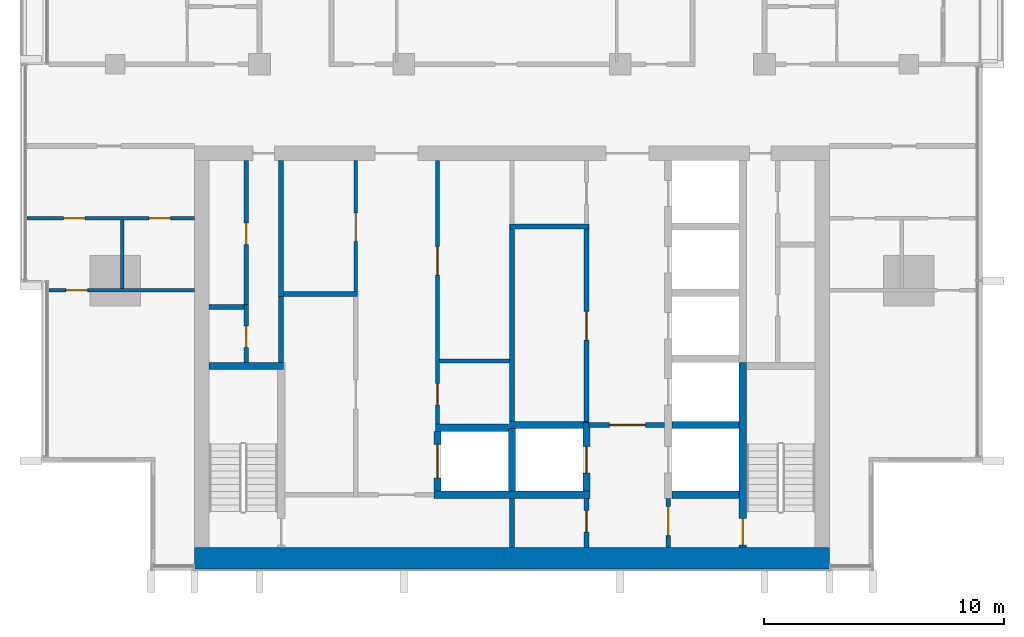
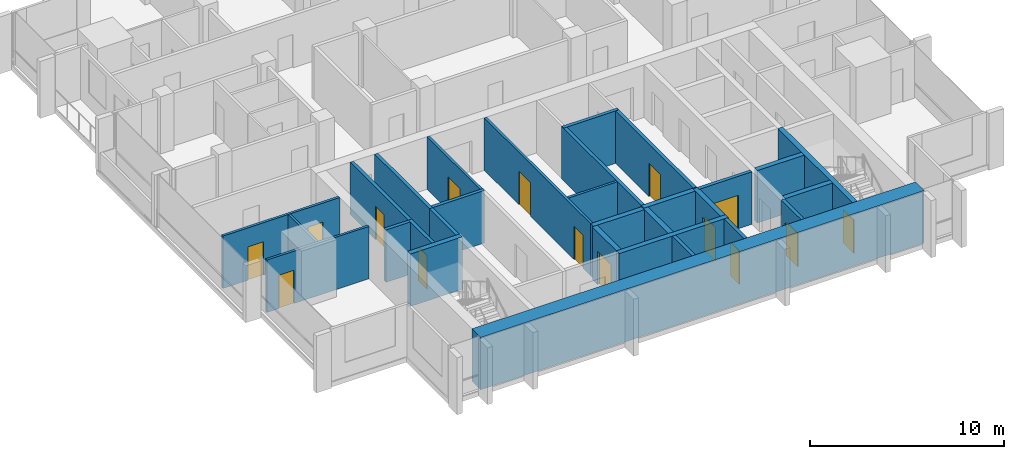
# One storey, part 7 of 16: 30 walls, 15 doors, 15 openings.
"""IFC4 building model written with IfcOpenShell, lengths in metres."""

from ifc_helpers import new_model, si_unit, direction, frame, frame_2d, origin, place, context, subcontext, project, spatial, rectangle, extrude, material, layer, layer_set, type_object, element, fill, save


model = new_model("IFC4")

# Units and contexts
model_context = context("Model", 3, precision=1e-05, world=origin(), true_north=direction((0.0, 1.0)))
body_context = subcontext(model_context, "Body", "Model", "MODEL_VIEW")
ifc_project = project(units=[si_unit("LENGTHUNIT", "METRE"), si_unit("AREAUNIT", "SQUARE_METRE"), si_unit("VOLUMEUNIT", "CUBIC_METRE"), si_unit("PLANEANGLEUNIT", "RADIAN"), si_unit("MASSUNIT", "GRAM", prefix="KILO")], contexts=[model_context])

# Site, building, storey
site_placement = place(None, origin())
site = spatial("IfcSite", under=ifc_project, at=site_placement, CompositionType="ELEMENT")
building_placement = place(site_placement, origin())
building = spatial("IfcBuilding", under=site, at=building_placement, Name="Finial Court Residences", CompositionType="ELEMENT")
storey_placement = place(building_placement, frame((0.0, 0.0, 208.699951171875)))
storey = spatial("IfcBuildingStorey", under=building, at=storey_placement, Name="L52", CompositionType="ELEMENT", Elevation=208.699951171875)

# Wall
ifc_material_1 = material(Name="Fire-rated gypsum board partition")
ifc_layer_1 = layer(ifc_material_1, 0.14990234375)
ifc_layer_set_1 = layer_set([ifc_layer_1], Name="Core room partition 150 EI 60")
wall_type_1 = type_object("IfcWallType", Name="Core room partition 150 EI 60", PredefinedType="PARTITIONING", material=ifc_layer_set_1)
wall_1_placement = place(storey_placement, frame((-3.02490234375, -16.840087890625, 0.0), z_axis=(0.0, 0.0, 1.0), x_axis=(1.0, 0.0, 0.0)))
element("IfcWall", 1, at=wall_1_placement, inside=storey, type_object=wall_type_1, Name="Core partition L52-11", PredefinedType="PARTITIONING", context=body_context, shape_type="SweptSolid", body=[
    extrude(rectangle(XDim=2.9248046875, YDim=0.14990234375, at=frame_2d((1.46240234375, 0.0))), origin(), (0.0, 0.0, 1.0), 3.300048828125),
])

# Wall, opening, door
wall_2_placement = place(storey_placement, frame((-6.5, -13.9599609375, 0.0), z_axis=(0.0, 0.0, 1.0), x_axis=(0.0, 1.0, 0.0)))
wall_2 = element("IfcWall", 2, at=wall_2_placement, inside=storey, type_object=wall_type_1, Name="Core partition L52-25", PredefinedType="PARTITIONING", context=body_context, shape_type="SweptSolid", body=[
    extrude(rectangle(XDim=5.4599609375, YDim=0.14990234375, at=frame_2d((2.72998046875, 0.0))), origin(), (0.0, 0.0, 1.0), 3.300048828125),
])
opening_1_placement = place(wall_2_placement, frame((2.080078125, 0.0, 0.0)))
opening_1 = element("IfcOpeningElement", 3, at=opening_1_placement, cuts=wall_2, Name="Opening L52-C15", PredefinedType="OPENING", context=body_context, shape_type="SweptSolid", body=[
    extrude(rectangle(XDim=1.199951171875, YDim=2.10009765625, at=frame_2d((0.60009765625, 1.050048828125))), frame((0.0, 0.0849609375, 0.0), z_axis=(0.0, -1.0, 0.0), x_axis=(1.0, 0.0, 0.0)), (0.0, 0.0, 1.0), 0.169921875),
])
ifc_material_2 = material(Name="Steel fire door", Category="steel")
door_type_1 = type_object("IfcDoorType", Name="Core room door 1200 x 2100 EI 60", OperationType="NOTDEFINED", PredefinedType="DOOR", material=ifc_material_2)
door_1_placement = place(opening_1_placement, origin())
door_1 = element("IfcDoor", 4, at=door_1_placement, inside=storey, type_object=door_type_1, Name="Core room door L52-C15", OperationType="SINGLE_SWING_RIGHT", OverallHeight=2.10009765625, OverallWidth=1.199951171875, PredefinedType="DOOR", context=body_context, shape_type="SweptSolid", body=[
    extrude(rectangle(XDim=1.199951171875, YDim=2.10009765625, at=frame_2d((0.60009765625, 1.050048828125))), frame((0.0, 0.02490234375, 0.0), z_axis=(0.0, -1.0, 0.0), x_axis=(1.0, 0.0, 0.0)), (0.0, 0.0, 1.0), 0.050048828125),
])
fill(opening_1, door_1)

# Wall, openings, doors
wall_3_placement = place(storey_placement, frame((-3.10009765625, -8.5, 0.0), z_axis=(0.0, 0.0, 1.0), x_axis=(0.0, -1.0, 0.0)))
wall_3 = element("IfcWall", 5, at=wall_3_placement, inside=storey, type_object=wall_type_1, Name="Core partition L52-27", PredefinedType="PARTITIONING", context=body_context, shape_type="SweptSolid", body=[
    extrude(rectangle(XDim=10.969970703125, YDim=0.14990234375, at=frame_2d((5.48486328125, 0.0))), origin(), (0.0, 0.0, 1.0), 3.300048828125),
])
opening_2_placement = place(wall_3_placement, frame((9.280029296875, 0.0, 0.0)))
opening_2 = element("IfcOpeningElement", 6, at=opening_2_placement, cuts=wall_3, Name="Opening L52-C16", PredefinedType="OPENING", context=body_context, shape_type="SweptSolid", body=[
    extrude(rectangle(XDim=0.89990234375, YDim=2.10009765625, at=frame_2d((0.449951171875, 1.050048828125))), frame((0.0, 0.0849609375, 0.0), z_axis=(0.0, -1.0, 0.0), x_axis=(1.0, 0.0, 0.0)), (0.0, 0.0, 1.0), 0.169921875),
])
opening_3_placement = place(wall_3_placement, frame((3.570068359375, 0.0, 0.0)))
opening_3 = element("IfcOpeningElement", 7, at=opening_3_placement, cuts=wall_3, Name="Opening L52-C17", PredefinedType="OPENING", context=body_context, shape_type="SweptSolid", body=[
    extrude(rectangle(XDim=1.199951171875, YDim=2.10009765625, at=frame_2d((0.60009765625, 1.050048828125))), frame((0.0, 0.0849609375, 0.0), z_axis=(0.0, -1.0, 0.0), x_axis=(1.0, 0.0, 0.0)), (0.0, 0.0, 1.0), 0.169921875),
])
door_2_placement = place(opening_3_placement, origin())
door_2 = element("IfcDoor", 8, at=door_2_placement, inside=storey, type_object=door_type_1, Name="Core room door L52-C17", OperationType="SINGLE_SWING_RIGHT", OverallHeight=2.10009765625, OverallWidth=1.199951171875, PredefinedType="DOOR", context=body_context, shape_type="SweptSolid", body=[
    extrude(rectangle(XDim=1.199951171875, YDim=2.10009765625, at=frame_2d((0.60009765625, 1.050048828125))), frame((0.0, 0.02490234375, 0.0), z_axis=(0.0, -1.0, 0.0), x_axis=(1.0, 0.0, 0.0)), (0.0, 0.0, 1.0), 0.050048828125),
])
fill(opening_3, door_2)
door_type_2 = type_object("IfcDoorType", Name="Core room door 900 x 2100 EI 60", OperationType="NOTDEFINED", PredefinedType="DOOR", material=ifc_material_2)
door_3_placement = place(opening_2_placement, origin())
door_3 = element("IfcDoor", 9, at=door_3_placement, inside=storey, type_object=door_type_2, Name="Core room door L52-C16", OperationType="SINGLE_SWING_RIGHT", OverallHeight=2.10009765625, OverallWidth=0.89990234375, PredefinedType="DOOR", context=body_context, shape_type="SweptSolid", body=[
    extrude(rectangle(XDim=0.89990234375, YDim=2.10009765625, at=frame_2d((0.449951171875, 1.050048828125))), frame((0.0, 0.02490234375, 0.0), z_axis=(0.0, -1.0, 0.0), x_axis=(1.0, 0.0, 0.0)), (0.0, 0.0, 1.0), 0.050048828125),
])
fill(opening_2, door_3)

# Wall
ifc_material_3 = material(Name="Concrete C60/75", Category="concrete")
ifc_layer_2 = layer(ifc_material_3, 0.89990234375)
ifc_layer_set_2 = layer_set([ifc_layer_2], Name="Core south facade wall 900 Concrete C60/75")
wall_type_2 = type_object("IfcWallType", Name="Core south facade wall 900 Concrete C60/75", PredefinedType="SHEAR", material=ifc_layer_set_2)
wall_4_placement = place(storey_placement, frame((-13.199951171875, -25.050048828125, 0.0), z_axis=(0.0, 0.0, 1.0), x_axis=(1.0, 0.0, 0.0)))
element("IfcWall", 10, at=wall_4_placement, inside=storey, type_object=wall_type_2, Name="Core outer wall L52-01", PredefinedType="SHEAR", context=body_context, shape_type="SweptSolid", body=[
    extrude(rectangle(XDim=26.39990234375, YDim=0.89990234375, at=frame_2d((13.199951171875, 0.0))), origin(), (0.0, 0.0, 1.0), 3.300048828125),
])

# Wall, opening, door
ifc_layer_3 = layer(ifc_material_1, 0.199951171875)
ifc_layer_set_3 = layer_set([ifc_layer_3], Name="Firefighting lobby wall 200 EI 120")
wall_type_3 = type_object("IfcWallType", Name="Firefighting lobby wall 200 EI 120", PredefinedType="PARTITIONING", material=ifc_layer_set_3)
wall_5_placement = place(storey_placement, frame((6.35009765625, -19.5, 0.0), z_axis=(0.0, 0.0, 1.0), x_axis=(-1.0, 0.0, 0.0)))
wall_5 = element("IfcWall", 11, at=wall_5_placement, inside=storey, type_object=wall_type_3, Name="Core partition L52-07", PredefinedType="PARTITIONING", context=body_context, shape_type="SweptSolid", body=[
    extrude(rectangle(XDim=3.150146484375, YDim=0.199951171875, at=frame_2d((1.5751953125, 0.0))), origin(), (0.0, 0.0, 1.0), 3.300048828125),
])
opening_4_placement = place(wall_5_placement, frame((0.800048828125, 0.0, 0.0)))
opening_4 = element("IfcOpeningElement", 12, at=opening_4_placement, cuts=wall_5, Name="Opening L52-C02", PredefinedType="OPENING", context=body_context, shape_type="SweptSolid", body=[
    extrude(rectangle(XDim=1.5, YDim=2.10009765625, at=frame_2d((0.75, 1.050048828125))), frame((0.0, 0.10986328125, 0.0), z_axis=(0.0, -1.0, 0.0), x_axis=(1.0, 0.0, 0.0)), (0.0, 0.0, 1.0), 0.219970703125),
])
door_type_3 = type_object("IfcDoorType", Name="Firefighting lobby door 1500 x 2100 EI 90", OperationType="DOUBLE_DOOR_SINGLE_SWING", PredefinedType="DOOR", material=ifc_material_2)
door_4_placement = place(opening_4_placement, origin())
door_4 = element("IfcDoor", 13, at=door_4_placement, inside=storey, type_object=door_type_3, Name="Firefighting lobby door L52-C02", OperationType="DOUBLE_DOOR_SINGLE_SWING", OverallHeight=2.10009765625, OverallWidth=1.5, PredefinedType="DOOR", context=body_context, shape_type="SweptSolid", body=[
    extrude(rectangle(XDim=1.5, YDim=2.10009765625, at=frame_2d((0.75, 1.050048828125))), frame((0.0, 0.02490234375, 0.0), z_axis=(0.0, -1.0, 0.0), x_axis=(1.0, 0.0, 0.0)), (0.0, 0.0, 1.0), 0.050048828125),
])
fill(opening_4, door_4)

wall_6_placement = place(storey_placement, frame((3.10009765625, -24.60009765625, 0.0), z_axis=(0.0, 0.0, 1.0), x_axis=(0.0, 1.0, 0.0)))
wall_6 = element("IfcWall", 14, at=wall_6_placement, inside=storey, type_object=wall_type_3, Name="Core partition L52-32", PredefinedType="PARTITIONING", context=body_context, shape_type="SweptSolid", body=[
    extrude(rectangle(XDim=2.050048828125, YDim=0.199951171875, at=frame_2d((1.02490234375, 0.0))), origin(), (0.0, 0.0, 1.0), 3.300048828125),
])
opening_5_placement = place(wall_6_placement, frame((0.64990234375, 0.0, 0.0)))
opening_5 = element("IfcOpeningElement", 15, at=opening_5_placement, cuts=wall_6, Name="Opening L52-C06", PredefinedType="OPENING", context=body_context, shape_type="SweptSolid", body=[
    extrude(rectangle(XDim=0.89990234375, YDim=2.10009765625, at=frame_2d((0.449951171875, 1.050048828125))), frame((0.0, 0.10986328125, 0.0), z_axis=(0.0, -1.0, 0.0), x_axis=(1.0, 0.0, 0.0)), (0.0, 0.0, 1.0), 0.219970703125),
])
door_type_4 = type_object("IfcDoorType", Name="Riser room door 900 x 2100 EI 90", OperationType="NOTDEFINED", PredefinedType="DOOR", material=ifc_material_2)
door_5_placement = place(opening_5_placement, origin())
door_5 = element("IfcDoor", 16, at=door_5_placement, inside=storey, type_object=door_type_4, Name="Riser room door L52-C06", OperationType="SINGLE_SWING_LEFT", OverallHeight=2.10009765625, OverallWidth=0.89990234375, PredefinedType="DOOR", context=body_context, shape_type="SweptSolid", body=[
    extrude(rectangle(XDim=0.89990234375, YDim=2.10009765625, at=frame_2d((0.449951171875, 1.050048828125))), frame((0.0, 0.02490234375, 0.0), z_axis=(0.0, -1.0, 0.0), x_axis=(1.0, 0.0, 0.0)), (0.0, 0.0, 1.0), 0.050048828125),
])
fill(opening_5, door_5)

wall_7_placement = place(storey_placement, frame((6.5, -22.550048828125, 0.0), z_axis=(0.0, 0.0, 1.0), x_axis=(0.0, -1.0, 0.0)))
wall_7 = element("IfcWall", 17, at=wall_7_placement, inside=storey, type_object=wall_type_3, Name="Core partition L52-36", PredefinedType="PARTITIONING", context=body_context, shape_type="SweptSolid", body=[
    extrude(rectangle(XDim=2.050048828125, YDim=0.199951171875, at=frame_2d((1.02490234375, 0.0))), origin(), (0.0, 0.0, 1.0), 3.300048828125),
])
opening_6_placement = place(wall_7_placement, frame((0.35009765625, 0.0, 0.0)))
opening_6 = element("IfcOpeningElement", 18, at=opening_6_placement, cuts=wall_7, Name="Opening L52-C01", PredefinedType="OPENING", context=body_context, shape_type="SweptSolid", body=[
    extrude(rectangle(XDim=1.199951171875, YDim=2.10009765625, at=frame_2d((0.60009765625, 1.050048828125))), frame((0.0, 0.10986328125, 0.0), z_axis=(0.0, -1.0, 0.0), x_axis=(1.0, 0.0, 0.0)), (0.0, 0.0, 1.0), 0.219970703125),
])
door_type_5 = type_object("IfcDoorType", Name="Firefighting lobby door 1200 x 2100 EI 90", OperationType="NOTDEFINED", PredefinedType="DOOR", material=ifc_material_2)
door_6_placement = place(opening_6_placement, origin())
door_6 = element("IfcDoor", 19, at=door_6_placement, inside=storey, type_object=door_type_5, Name="Firefighting lobby door L52-C01", OperationType="SINGLE_SWING_RIGHT", OverallHeight=2.10009765625, OverallWidth=1.199951171875, PredefinedType="DOOR", context=body_context, shape_type="SweptSolid", body=[
    extrude(rectangle(XDim=1.199951171875, YDim=2.10009765625, at=frame_2d((0.60009765625, 1.050048828125))), frame((0.0, 0.02490234375, 0.0), z_axis=(0.0, -1.0, 0.0), x_axis=(1.0, 0.0, 0.0)), (0.0, 0.0, 1.0), 0.050048828125),
])
fill(opening_6, door_6)

ifc_material_4 = material(Name="Moisture-resistant gypsum board")
ifc_layer_4 = layer(ifc_material_4, 0.012451171875)
ifc_material_5 = material(Name="Mineral wool in light-gauge frame")
ifc_layer_5 = layer(ifc_material_5, 0.125)
ifc_layer_6 = layer(ifc_material_4, 0.012451171875)
ifc_layer_set_4 = layer_set([ifc_layer_4, ifc_layer_5, ifc_layer_6], Name="Gypsum board wet-area partition 150")
wall_type_4 = type_object("IfcWallType", Name="Gypsum board wet-area partition 150", PredefinedType="PARTITIONING", material=ifc_layer_set_4)
wall_8_placement = place(storey_placement, frame((-19.262451171875, -13.89990234375, 0.0), z_axis=(0.0, 0.0, 1.0), x_axis=(1.0, 0.0, 0.0)))
wall_8 = element("IfcWall", 20, at=wall_8_placement, inside=storey, type_object=wall_type_4, Name="Partition L52-000", PredefinedType="PARTITIONING", context=body_context, shape_type="SweptSolid", body=[
    extrude(rectangle(XDim=6.0625, YDim=0.14990234375, at=frame_2d((3.03125, 0.0))), origin(), (0.0, 0.0, 1.0), 3.300048828125),
])
opening_7_placement = place(wall_8_placement, frame((0.7119140625, 0.0, 0.0)))
opening_7 = element("IfcOpeningElement", 21, at=opening_7_placement, cuts=wall_8, Name="Opening L52-D001", PredefinedType="OPENING", context=body_context, shape_type="SweptSolid", body=[
    extrude(rectangle(XDim=0.89990234375, YDim=2.10009765625, at=frame_2d((0.449951171875, 1.050048828125))), frame((0.0, 0.0849609375, 0.0), z_axis=(0.0, -1.0, 0.0), x_axis=(1.0, 0.0, 0.0)), (0.0, 0.0, 1.0), 0.169921875),
])
ifc_material_6 = material(Name="Timber door leaf in timber frame", Category="wood")
door_type_6 = type_object("IfcDoorType", Name="Door set 900 x 2100", OperationType="SINGLE_SWING_LEFT", PredefinedType="DOOR", material=ifc_material_6)
door_7_placement = place(opening_7_placement, origin())
door_7 = element("IfcDoor", 22, at=door_7_placement, inside=storey, type_object=door_type_6, Name="Door L52-D001", OperationType="SINGLE_SWING_LEFT", OverallHeight=2.10009765625, OverallWidth=0.89990234375, PredefinedType="DOOR", context=body_context, shape_type="SweptSolid", body=[
    extrude(rectangle(XDim=0.89990234375, YDim=2.10009765625, at=frame_2d((0.449951171875, 1.050048828125))), frame((0.0, 0.02490234375, 0.0), z_axis=(0.0, -1.0, 0.0), x_axis=(1.0, 0.0, 0.0)), (0.0, 0.0, 1.0), 0.050048828125),
])
fill(opening_7, door_7)

# Wall, openings, doors
wall_9_placement = place(storey_placement, frame((-20.16259765625, -10.89990234375, 0.0), z_axis=(0.0, 0.0, 1.0), x_axis=(1.0, 0.0, 0.0)))
wall_9 = element("IfcWall", 23, at=wall_9_placement, inside=storey, type_object=wall_type_4, Name="Partition L52-002", PredefinedType="PARTITIONING", context=body_context, shape_type="SweptSolid", body=[
    extrude(rectangle(XDim=6.962646484375, YDim=0.14990234375, at=frame_2d((3.4814453125, 0.0))), origin(), (0.0, 0.0, 1.0), 3.300048828125),
])
opening_8_placement = place(wall_9_placement, frame((1.512939453125, 0.0, 0.0)))
opening_8 = element("IfcOpeningElement", 24, at=opening_8_placement, cuts=wall_9, Name="Opening L52-D003", PredefinedType="OPENING", context=body_context, shape_type="SweptSolid", body=[
    extrude(rectangle(XDim=0.89990234375, YDim=2.10009765625, at=frame_2d((0.449951171875, 1.050048828125))), frame((0.0, 0.0849609375, 0.0), z_axis=(0.0, -1.0, 0.0), x_axis=(1.0, 0.0, 0.0)), (0.0, 0.0, 1.0), 0.169921875),
])
opening_9_placement = place(wall_9_placement, frame((5.06298828125, 0.0, 0.0)))
opening_9 = element("IfcOpeningElement", 25, at=opening_9_placement, cuts=wall_9, Name="Opening L52-D004", PredefinedType="OPENING", context=body_context, shape_type="SweptSolid", body=[
    extrude(rectangle(XDim=0.89990234375, YDim=2.10009765625, at=frame_2d((0.449951171875, 1.050048828125))), frame((0.0, 0.0849609375, 0.0), z_axis=(0.0, -1.0, 0.0), x_axis=(1.0, 0.0, 0.0)), (0.0, 0.0, 1.0), 0.169921875),
])
door_8_placement = place(opening_8_placement, origin())
door_8 = element("IfcDoor", 26, at=door_8_placement, inside=storey, type_object=door_type_6, Name="Door L52-D003", OperationType="SINGLE_SWING_LEFT", OverallHeight=2.10009765625, OverallWidth=0.89990234375, PredefinedType="DOOR", context=body_context, shape_type="SweptSolid", body=[
    extrude(rectangle(XDim=0.89990234375, YDim=2.10009765625, at=frame_2d((0.449951171875, 1.050048828125))), frame((0.0, 0.02490234375, 0.0), z_axis=(0.0, -1.0, 0.0), x_axis=(1.0, 0.0, 0.0)), (0.0, 0.0, 1.0), 0.050048828125),
])
fill(opening_8, door_8)
door_9_placement = place(opening_9_placement, origin())
door_9 = element("IfcDoor", 27, at=door_9_placement, inside=storey, type_object=door_type_6, Name="Door L52-D004", OperationType="SINGLE_SWING_RIGHT", OverallHeight=2.10009765625, OverallWidth=0.89990234375, PredefinedType="DOOR", context=body_context, shape_type="SweptSolid", body=[
    extrude(rectangle(XDim=0.89990234375, YDim=2.10009765625, at=frame_2d((0.449951171875, 1.050048828125))), frame((0.0, 0.02490234375, 0.0), z_axis=(0.0, -1.0, 0.0), x_axis=(1.0, 0.0, 0.0)), (0.0, 0.0, 1.0), 0.050048828125),
])
fill(opening_9, door_9)

# Walls
wall_10_placement = place(storey_placement, frame((-16.199951171875, -13.824951171875, 0.0), z_axis=(0.0, 0.0, 1.0), x_axis=(0.0, 1.0, 0.0)))
element("IfcWall", 28, at=wall_10_placement, inside=storey, type_object=wall_type_4, Name="Partition L52-026", PredefinedType="PARTITIONING", context=body_context, shape_type="SweptSolid", body=[
    extrude(rectangle(XDim=2.849853515625, YDim=0.14990234375, at=frame_2d((1.4248046875, 0.0))), origin(), (0.0, 0.0, 1.0), 3.300048828125),
])
ifc_layer_7 = layer(ifc_material_3, 0.300048828125)
ifc_layer_set_5 = layer_set([ifc_layer_7], Name="Lift shaft and stair wall 300 Concrete C60/75")
wall_type_5 = type_object("IfcWallType", Name="Lift shaft and stair wall 300 Concrete C60/75", PredefinedType="SHEAR", material=ifc_layer_set_5)
wall_11_placement = place(storey_placement, frame((-3.25, -22.39990234375, 0.0), z_axis=(0.0, 0.0, 1.0), x_axis=(1.0, 0.0, 0.0)))
element("IfcWall", 29, at=wall_11_placement, inside=storey, type_object=wall_type_5, Name="Core wall L52-03", PredefinedType="SHEAR", context=body_context, shape_type="SweptSolid", body=[
    extrude(rectangle(XDim=6.5, YDim=0.300048828125, at=frame_2d((3.25, 0.0))), origin(), (0.0, 0.0, 1.0), 3.300048828125),
])
wall_12_placement = place(storey_placement, frame((6.64990234375, -22.39990234375, 0.0), z_axis=(0.0, 0.0, 1.0), x_axis=(1.0, 0.0, 0.0)))
element("IfcWall", 30, at=wall_12_placement, inside=storey, type_object=wall_type_5, Name="Core wall L52-04", PredefinedType="SHEAR", context=body_context, shape_type="SweptSolid", body=[
    extrude(rectangle(XDim=2.800048828125, YDim=0.300048828125, at=frame_2d((1.39990234375, 0.0))), origin(), (0.0, 0.0, 1.0), 3.300048828125),
])
wall_13_placement = place(storey_placement, frame((-3.175048828125, -19.6201171875, 0.0), z_axis=(0.0, 0.0, 1.0), x_axis=(1.0, 0.0, 0.0)))
element("IfcWall", 31, at=wall_13_placement, inside=storey, type_object=wall_type_5, Name="Core wall L52-05", PredefinedType="SHEAR", context=body_context, shape_type="SweptSolid", body=[
    extrude(rectangle(XDim=3.025146484375, YDim=0.300048828125, at=frame_2d((1.5126953125, 0.0))), origin(), (0.0, 0.0, 1.0), 3.300048828125),
])
wall_14_placement = place(storey_placement, frame((-0.10009765625, -19.5, 0.0), z_axis=(0.0, 0.0, 1.0), x_axis=(1.0, 0.0, 0.0)))
element("IfcWall", 32, at=wall_14_placement, inside=storey, type_object=wall_type_5, Name="Core wall L52-06", PredefinedType="SHEAR", context=body_context, shape_type="SweptSolid", body=[
    extrude(rectangle(XDim=3.300048828125, YDim=0.300048828125, at=frame_2d((1.64990234375, 0.0))), origin(), (0.0, 0.0, 1.0), 3.300048828125),
])
wall_15_placement = place(storey_placement, frame((6.64990234375, -19.5, 0.0), z_axis=(0.0, 0.0, 1.0), x_axis=(1.0, 0.0, 0.0)))
element("IfcWall", 33, at=wall_15_placement, inside=storey, type_object=wall_type_5, Name="Core wall L52-08", PredefinedType="SHEAR", context=body_context, shape_type="SweptSolid", body=[
    extrude(rectangle(XDim=2.800048828125, YDim=0.300048828125, at=frame_2d((1.39990234375, 0.0))), origin(), (0.0, 0.0, 1.0), 3.300048828125),
])
wall_16_placement = place(storey_placement, frame((-12.60009765625, -17.050048828125, 0.0), z_axis=(0.0, 0.0, 1.0), x_axis=(1.0, 0.0, 0.0)))
element("IfcWall", 34, at=wall_16_placement, inside=storey, type_object=wall_type_5, Name="Core wall L52-09", PredefinedType="SHEAR", context=body_context, shape_type="SweptSolid", body=[
    extrude(rectangle(XDim=3.10009765625, YDim=0.300048828125, at=frame_2d((1.550048828125, 0.0))), origin(), (0.0, 0.0, 1.0), 3.300048828125),
])

# Wall, opening, door
wall_17_placement = place(storey_placement, frame((-3.10009765625, -22.25, 0.0), z_axis=(0.0, 0.0, 1.0), x_axis=(0.0, 1.0, 0.0)))
wall_17 = element("IfcWall", 35, at=wall_17_placement, inside=storey, type_object=wall_type_5, Name="Core wall L52-26", PredefinedType="SHEAR", context=body_context, shape_type="SweptSolid", body=[
    extrude(rectangle(XDim=2.47998046875, YDim=0.300048828125, at=frame_2d((1.239990234375, 0.0))), origin(), (0.0, 0.0, 1.0), 3.300048828125),
])
opening_10_placement = place(wall_17_placement, frame((0.5400390625, 0.0, 0.0)))
opening_10 = element("IfcOpeningElement", 36, at=opening_10_placement, cuts=wall_17, Name="Opening L52-LD07", PredefinedType="OPENING", context=body_context, shape_type="SweptSolid", body=[
    extrude(rectangle(XDim=1.39990234375, YDim=2.10009765625, at=frame_2d((0.699951171875, 1.050048828125))), frame((0.0, 0.159912109375, 0.0), z_axis=(0.0, -1.0, 0.0), x_axis=(1.0, 0.0, 0.0)), (0.0, 0.0, 1.0), 0.320068359375),
])
ifc_material_7 = material(Name="Stainless steel lift door", Category="steel")
door_type_7 = type_object("IfcDoorType", Name="Lift landing door 1400 x 2100 EI 90", OperationType="DOUBLE_DOOR_SLIDING", PredefinedType="DOOR", material=ifc_material_7)
door_10_placement = place(opening_10_placement, origin())
door_10 = element("IfcDoor", 37, at=door_10_placement, inside=storey, type_object=door_type_7, Name="Lift landing door SV1 L52", OperationType="DOUBLE_DOOR_SLIDING", OverallHeight=2.10009765625, OverallWidth=1.39990234375, PredefinedType="DOOR", context=body_context, shape_type="SweptSolid", body=[
    extrude(rectangle(XDim=1.39990234375, YDim=2.10009765625, at=frame_2d((0.699951171875, 1.050048828125))), frame((0.0, 0.02490234375, 0.0), z_axis=(0.0, -1.0, 0.0), x_axis=(1.0, 0.0, 0.0)), (0.0, 0.0, 1.0), 0.050048828125),
])
fill(opening_10, door_10)

# Wall
wall_18_placement = place(storey_placement, frame((0.0, -22.25, 0.0), z_axis=(0.0, 0.0, 1.0), x_axis=(0.0, 1.0, 0.0)))
element("IfcWall", 38, at=wall_18_placement, inside=storey, type_object=wall_type_5, Name="Core wall L52-29", PredefinedType="SHEAR", context=body_context, shape_type="SweptSolid", body=[
    extrude(rectangle(XDim=2.60009765625, YDim=0.300048828125, at=frame_2d((1.300048828125, 0.0))), origin(), (0.0, 0.0, 1.0), 3.300048828125),
])

# Wall, opening, door
wall_19_placement = place(storey_placement, frame((3.10009765625, -22.25, 0.0), z_axis=(0.0, 0.0, 1.0), x_axis=(0.0, 1.0, 0.0)))
wall_19 = element("IfcWall", 39, at=wall_19_placement, inside=storey, type_object=wall_type_5, Name="Core wall L52-33", PredefinedType="SHEAR", context=body_context, shape_type="SweptSolid", body=[
    extrude(rectangle(XDim=2.85009765625, YDim=0.300048828125, at=frame_2d((1.425048828125, 0.0))), origin(), (0.0, 0.0, 1.0), 3.300048828125),
])
opening_11_placement = place(wall_19_placement, frame((0.75, 0.0, 0.0)))
opening_11 = element("IfcOpeningElement", 40, at=opening_11_placement, cuts=wall_19, Name="Opening L52-LD01", PredefinedType="OPENING", context=body_context, shape_type="SweptSolid", body=[
    extrude(rectangle(XDim=1.10009765625, YDim=2.10009765625, at=frame_2d((0.550048828125, 1.050048828125))), frame((0.0, 0.159912109375, 0.0), z_axis=(0.0, -1.0, 0.0), x_axis=(1.0, 0.0, 0.0)), (0.0, 0.0, 1.0), 0.320068359375),
])
door_type_8 = type_object("IfcDoorType", Name="Lift landing door 1100 x 2100 EI 90", OperationType="DOUBLE_DOOR_SLIDING", PredefinedType="DOOR", material=ifc_material_7)
door_11_placement = place(opening_11_placement, origin())
door_11 = element("IfcDoor", 41, at=door_11_placement, inside=storey, type_object=door_type_8, Name="Lift landing door FF1 L52", OperationType="DOUBLE_DOOR_SLIDING", OverallHeight=2.10009765625, OverallWidth=1.10009765625, PredefinedType="DOOR", context=body_context, shape_type="SweptSolid", body=[
    extrude(rectangle(XDim=1.10009765625, YDim=2.10009765625, at=frame_2d((0.550048828125, 1.050048828125))), frame((0.0, 0.02490234375, 0.0), z_axis=(0.0, -1.0, 0.0), x_axis=(1.0, 0.0, 0.0)), (0.0, 0.0, 1.0), 0.050048828125),
])
fill(opening_11, door_11)

wall_20_placement = place(storey_placement, frame((9.60009765625, -16.89990234375, 0.0), z_axis=(0.0, 0.0, 1.0), x_axis=(0.0, -1.0, 0.0)))
wall_20 = element("IfcWall", 42, at=wall_20_placement, inside=storey, type_object=wall_type_5, Name="Core wall L52-38", PredefinedType="SHEAR", context=body_context, shape_type="SweptSolid", body=[
    extrude(rectangle(XDim=7.7001953125, YDim=0.300048828125, at=frame_2d((3.85009765625, 0.0))), origin(), (0.0, 0.0, 1.0), 3.300048828125),
])
opening_12_placement = place(wall_20_placement, frame((6.5, 0.0, 0.0)))
opening_12 = element("IfcOpeningElement", 43, at=opening_12_placement, cuts=wall_20, Name="Opening L52-C20", PredefinedType="OPENING", context=body_context, shape_type="SweptSolid", body=[
    extrude(rectangle(XDim=1.10009765625, YDim=2.10009765625, at=frame_2d((0.550048828125, 1.050048828125))), frame((0.0, 0.159912109375, 0.0), z_axis=(0.0, -1.0, 0.0), x_axis=(1.0, 0.0, 0.0)), (0.0, 0.0, 1.0), 0.320068359375),
])
door_type_9 = type_object("IfcDoorType", Name="Stair door 1100 x 2100 EI 90", OperationType="NOTDEFINED", PredefinedType="DOOR", material=ifc_material_2)
door_12_placement = place(opening_12_placement, origin())
door_12 = element("IfcDoor", 44, at=door_12_placement, inside=storey, type_object=door_type_9, Name="Stair door L52-C20", OperationType="SINGLE_SWING_RIGHT", OverallHeight=2.10009765625, OverallWidth=1.10009765625, PredefinedType="DOOR", context=body_context, shape_type="SweptSolid", body=[
    extrude(rectangle(XDim=1.10009765625, YDim=2.10009765625, at=frame_2d((0.550048828125, 1.050048828125))), frame((0.0, 0.02490234375, 0.0), z_axis=(0.0, -1.0, 0.0), x_axis=(1.0, 0.0, 0.0)), (0.0, 0.0, 1.0), 0.050048828125),
])
fill(opening_12, door_12)

# Walls
ifc_layer_8 = layer(ifc_material_1, 0.199951171875)
ifc_layer_set_6 = layer_set([ifc_layer_8], Name="Riser room wall 200 EI 120")
wall_type_6 = type_object("IfcWallType", Name="Riser room wall 200 EI 120", PredefinedType="PARTITIONING", material=ifc_layer_set_6)
wall_21_placement = place(storey_placement, frame((-12.60009765625, -14.60009765625, 0.0), z_axis=(0.0, 0.0, 1.0), x_axis=(1.0, 0.0, 0.0)))
element("IfcWall", 45, at=wall_21_placement, inside=storey, type_object=wall_type_6, Name="Core partition L52-13", PredefinedType="PARTITIONING", context=body_context, shape_type="SweptSolid", body=[
    extrude(rectangle(XDim=1.4501953125, YDim=0.199951171875, at=frame_2d((0.72509765625, 0.0))), origin(), (0.0, 0.0, 1.0), 3.300048828125),
])
wall_22_placement = place(storey_placement, frame((-9.5, -14.06005859375, 0.0), z_axis=(0.0, 0.0, 1.0), x_axis=(1.0, 0.0, 0.0)))
element("IfcWall", 46, at=wall_22_placement, inside=storey, type_object=wall_type_6, Name="Core partition L52-14", PredefinedType="PARTITIONING", context=body_context, shape_type="SweptSolid", body=[
    extrude(rectangle(XDim=3.074951171875, YDim=0.199951171875, at=frame_2d((1.53759765625, 0.0))), origin(), (0.0, 0.0, 1.0), 3.300048828125),
])
wall_23_placement = place(storey_placement, frame((-0.074951171875, -11.25, 0.0), z_axis=(0.0, 0.0, 1.0), x_axis=(1.0, 0.0, 0.0)))
element("IfcWall", 47, at=wall_23_placement, inside=storey, type_object=wall_type_6, Name="Core partition L52-17", PredefinedType="PARTITIONING", context=body_context, shape_type="SweptSolid", body=[
    extrude(rectangle(XDim=3.25, YDim=0.199951171875, at=frame_2d((1.625, 0.0))), origin(), (0.0, 0.0, 1.0), 3.300048828125),
])

# Wall, opening, door
wall_24_placement = place(storey_placement, frame((-11.050048828125, -14.699951171875, 0.0), z_axis=(0.0, 0.0, 1.0), x_axis=(0.0, 1.0, 0.0)))
wall_24 = element("IfcWall", 48, at=wall_24_placement, inside=storey, type_object=wall_type_6, Name="Core partition L52-20", PredefinedType="PARTITIONING", context=body_context, shape_type="SweptSolid", body=[
    extrude(rectangle(XDim=6.199951171875, YDim=0.199951171875, at=frame_2d((3.10009765625, 0.0))), origin(), (0.0, 0.0, 1.0), 3.300048828125),
])
opening_13_placement = place(wall_24_placement, frame((2.699951171875, 0.0, 0.0)))
opening_13 = element("IfcOpeningElement", 49, at=opening_13_placement, cuts=wall_24, Name="Opening L52-C07", PredefinedType="OPENING", context=body_context, shape_type="SweptSolid", body=[
    extrude(rectangle(XDim=0.89990234375, YDim=2.10009765625, at=frame_2d((0.449951171875, 1.050048828125))), frame((0.0, 0.10986328125, 0.0), z_axis=(0.0, -1.0, 0.0), x_axis=(1.0, 0.0, 0.0)), (0.0, 0.0, 1.0), 0.219970703125),
])
door_13_placement = place(opening_13_placement, origin())
door_13 = element("IfcDoor", 50, at=door_13_placement, inside=storey, type_object=door_type_4, Name="Riser room door L52-C07", OperationType="SINGLE_SWING_LEFT", OverallHeight=2.10009765625, OverallWidth=0.89990234375, PredefinedType="DOOR", context=body_context, shape_type="SweptSolid", body=[
    extrude(rectangle(XDim=0.89990234375, YDim=2.10009765625, at=frame_2d((0.449951171875, 1.050048828125))), frame((0.0, 0.02490234375, 0.0), z_axis=(0.0, -1.0, 0.0), x_axis=(1.0, 0.0, 0.0)), (0.0, 0.0, 1.0), 0.050048828125),
])
fill(opening_13, door_13)

# Walls
wall_25_placement = place(storey_placement, frame((-9.60009765625, -16.89990234375, 0.0), z_axis=(0.0, 0.0, 1.0), x_axis=(0.0, 1.0, 0.0)))
element("IfcWall", 51, at=wall_25_placement, inside=storey, type_object=wall_type_6, Name="Core partition L52-22", PredefinedType="PARTITIONING", context=body_context, shape_type="SweptSolid", body=[
    extrude(rectangle(XDim=2.739990234375, YDim=0.199951171875, at=frame_2d((1.3701171875, 0.0))), origin(), (0.0, 0.0, 1.0), 3.300048828125),
])
wall_26_placement = place(storey_placement, frame((0.0, -24.60009765625, 0.0), z_axis=(0.0, 0.0, 1.0), x_axis=(0.0, 1.0, 0.0)))
element("IfcWall", 52, at=wall_26_placement, inside=storey, type_object=wall_type_6, Name="Core partition L52-28", PredefinedType="PARTITIONING", context=body_context, shape_type="SweptSolid", body=[
    extrude(rectangle(XDim=2.050048828125, YDim=0.199951171875, at=frame_2d((1.02490234375, 0.0))), origin(), (0.0, 0.0, 1.0), 3.300048828125),
])
wall_27_placement = place(storey_placement, frame((0.0, -19.35009765625, 0.0), z_axis=(0.0, 0.0, 1.0), x_axis=(0.0, 1.0, 0.0)))
element("IfcWall", 53, at=wall_27_placement, inside=storey, type_object=wall_type_6, Name="Core partition L52-30", PredefinedType="PARTITIONING", context=body_context, shape_type="SweptSolid", body=[
    extrude(rectangle(XDim=8.2001953125, YDim=0.199951171875, at=frame_2d((4.10009765625, 0.0))), origin(), (0.0, 0.0, 1.0), 3.300048828125),
])

# Wall, opening, door
wall_28_placement = place(storey_placement, frame((3.10009765625, -19.60009765625, 0.0), z_axis=(0.0, 0.0, 1.0), x_axis=(0.0, 1.0, 0.0)))
wall_28 = element("IfcWall", 54, at=wall_28_placement, inside=storey, type_object=wall_type_6, Name="Core partition L52-34", PredefinedType="PARTITIONING", context=body_context, shape_type="SweptSolid", body=[
    extrude(rectangle(XDim=8.4501953125, YDim=0.199951171875, at=frame_2d((4.22509765625, 0.0))), origin(), (0.0, 0.0, 1.0), 3.300048828125),
])
opening_14_placement = place(wall_28_placement, frame((3.625, 0.0, 0.0)))
opening_14 = element("IfcOpeningElement", 55, at=opening_14_placement, cuts=wall_28, Name="Opening L52-C10", PredefinedType="OPENING", context=body_context, shape_type="SweptSolid", body=[
    extrude(rectangle(XDim=1.199951171875, YDim=2.10009765625, at=frame_2d((0.60009765625, 1.050048828125))), frame((0.0, 0.10986328125, 0.0), z_axis=(0.0, -1.0, 0.0), x_axis=(1.0, 0.0, 0.0)), (0.0, 0.0, 1.0), 0.219970703125),
])
door_type_10 = type_object("IfcDoorType", Name="Riser room door 1200 x 2100 EI 90", OperationType="NOTDEFINED", PredefinedType="DOOR", material=ifc_material_2)
door_14_placement = place(opening_14_placement, origin())
door_14 = element("IfcDoor", 56, at=door_14_placement, inside=storey, type_object=door_type_10, Name="Riser room door L52-C10", OperationType="SINGLE_SWING_LEFT", OverallHeight=2.10009765625, OverallWidth=1.199951171875, PredefinedType="DOOR", context=body_context, shape_type="SweptSolid", body=[
    extrude(rectangle(XDim=1.199951171875, YDim=2.10009765625, at=frame_2d((0.60009765625, 1.050048828125))), frame((0.0, 0.02490234375, 0.0), z_axis=(0.0, -1.0, 0.0), x_axis=(1.0, 0.0, 0.0)), (0.0, 0.0, 1.0), 0.050048828125),
])
fill(opening_14, door_14)

ifc_layer_9 = layer(ifc_material_1, 0.199951171875)
ifc_layer_set_7 = layer_set([ifc_layer_9], Name="Stair passage wall 200 EI 180")
wall_type_7 = type_object("IfcWallType", Name="Stair passage wall 200 EI 180", PredefinedType="PARTITIONING", material=ifc_layer_set_7)
wall_29_placement = place(storey_placement, frame((-11.050048828125, -16.89990234375, 0.0), z_axis=(0.0, 0.0, 1.0), x_axis=(0.0, 1.0, 0.0)))
wall_29 = element("IfcWall", 57, at=wall_29_placement, inside=storey, type_object=wall_type_7, Name="Core partition L52-19", PredefinedType="PARTITIONING", context=body_context, shape_type="SweptSolid", body=[
    extrude(rectangle(XDim=2.39990234375, YDim=0.199951171875, at=frame_2d((1.199951171875, 0.0))), origin(), (0.0, 0.0, 1.0), 3.300048828125),
])
opening_15_placement = place(wall_29_placement, frame((0.625, 0.0, 0.0)))
opening_15 = element("IfcOpeningElement", 58, at=opening_15_placement, cuts=wall_29, Name="Opening L52-C13", PredefinedType="OPENING", context=body_context, shape_type="SweptSolid", body=[
    extrude(rectangle(XDim=0.89990234375, YDim=2.10009765625, at=frame_2d((0.449951171875, 1.050048828125))), frame((0.0, 0.10986328125, 0.0), z_axis=(0.0, -1.0, 0.0), x_axis=(1.0, 0.0, 0.0)), (0.0, 0.0, 1.0), 0.219970703125),
])
door_15_placement = place(opening_15_placement, origin())
door_15 = element("IfcDoor", 59, at=door_15_placement, inside=storey, type_object=door_type_2, Name="Core room door L52-C13", OperationType="SINGLE_SWING_RIGHT", OverallHeight=2.10009765625, OverallWidth=0.89990234375, PredefinedType="DOOR", context=body_context, shape_type="SweptSolid", body=[
    extrude(rectangle(XDim=0.89990234375, YDim=2.10009765625, at=frame_2d((0.449951171875, 1.050048828125))), frame((0.0, 0.02490234375, 0.0), z_axis=(0.0, -1.0, 0.0), x_axis=(1.0, 0.0, 0.0)), (0.0, 0.0, 1.0), 0.050048828125),
])
fill(opening_15, door_15)

# Wall
wall_30_placement = place(storey_placement, frame((-9.60009765625, -14.159912109375, 0.0), z_axis=(0.0, 0.0, 1.0), x_axis=(0.0, 1.0, 0.0)))
element("IfcWall", 60, at=wall_30_placement, inside=storey, type_object=wall_type_7, Name="Core partition L52-23", PredefinedType="PARTITIONING", context=body_context, shape_type="SweptSolid", body=[
    extrude(rectangle(XDim=5.659912109375, YDim=0.199951171875, at=frame_2d((2.830078125, 0.0))), origin(), (0.0, 0.0, 1.0), 3.300048828125),
])

save(model, "model.ifc")
